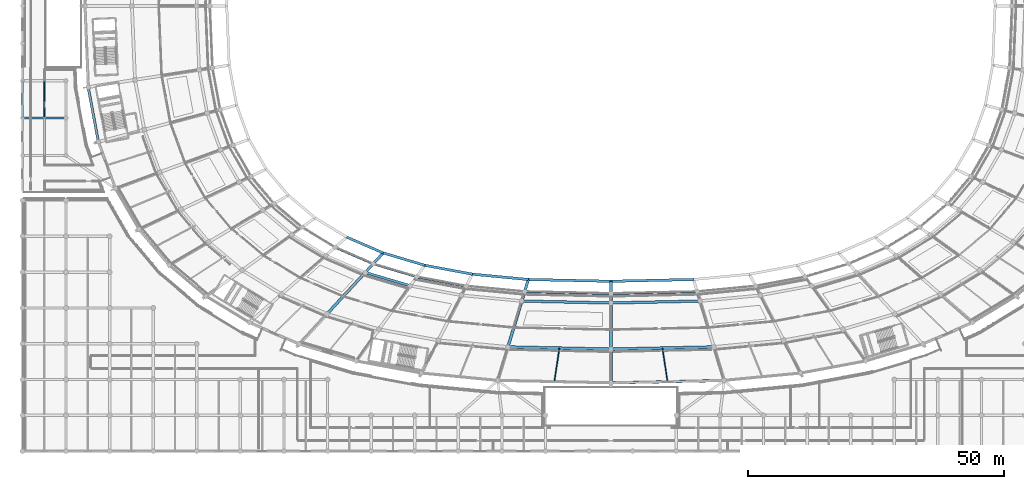
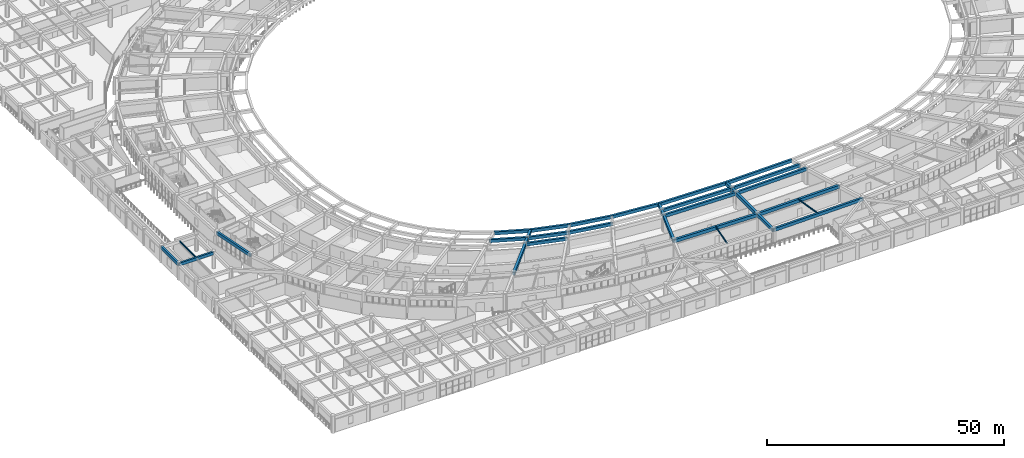
# One storey, part 24 of 145: 27 beams.
"""IFC4 building model written with IfcOpenShell, lengths in metres."""

from ifc_helpers import new_model, si_unit, direction, frame, origin, origin_2d, place, context, subcontext, project, spatial, rectangle, i_section, extrude, material, material_profile, profile_set, type_object, element, save


model = new_model("IFC4")

# Units and contexts
model_context = context("Model", 3, precision=1e-05, world=origin(), true_north=direction((0.0, 1.0)))
body_context = subcontext(model_context, "Body", "Model", "MODEL_VIEW")
ifc_project = project(units=[si_unit("LENGTHUNIT", "METRE"), si_unit("AREAUNIT", "SQUARE_METRE"), si_unit("VOLUMEUNIT", "CUBIC_METRE"), si_unit("PLANEANGLEUNIT", "RADIAN"), si_unit("MASSUNIT", "GRAM", prefix="KILO")], contexts=[model_context])

# Site, building, storey
site_placement = place(None, origin())
site = spatial("IfcSite", under=ifc_project, at=site_placement, CompositionType="ELEMENT")
building_placement = place(site_placement, origin())
building = spatial("IfcBuilding", under=site, at=building_placement, Name="Mphavela Belvedere Stadium", CompositionType="ELEMENT")
storey_placement = place(building_placement, frame((0.0, 0.0, 10.199951171875)))
storey = spatial("IfcBuildingStorey", under=building, at=storey_placement, Name="L02", CompositionType="ELEMENT", Elevation=10.199951171875)

# Beams
ifc_material_1 = material(Name="Steel S355", Category="steel")
ifc_material_profile_1 = material_profile(ifc_material_1, i_section(OverallWidth=0.169921875, OverallDepth=0.360107421875, WebThickness=0.008056640625, FlangeThickness=0.0126953125, at=origin_2d()), Name="IPE 360")
ifc_profile_set_1 = profile_set([ifc_material_profile_1], Name="Steel S355")
beam_type_1 = type_object("IfcBeamType", Name="BM-JOIST-IPE360", PredefinedType="JOIST", material=ifc_profile_set_1)
beam_1_placement = place(storey_placement, frame((125.06640625, 20.1494140625, 4.070068359375), z_axis=(0.14889470473, -0.988853056274, 0.0), x_axis=(0.988853056274, 0.14889470473, 0.0)))
element("IfcBeam", 1, at=beam_1_placement, inside=storey, type_object=beam_type_1, Name="Concourse floor joist L02-37", PredefinedType="JOIST", context=body_context, shape_type="SweptSolid", body=[
    extrude(i_section(OverallWidth=0.169921875, OverallDepth=0.360107421875, WebThickness=0.008056640625, FlangeThickness=0.0126953125, at=origin_2d()), origin(), (0.0, 0.0, 1.0), 6.655517578125),
])
beam_2_placement = place(storey_placement, frame((4.25, 65.324951171875, 4.06005859375), z_axis=(0.0, 1.0, 0.0), x_axis=(-1.0, 0.0, 0.0)))
element("IfcBeam", 2, at=beam_2_placement, inside=storey, type_object=beam_type_1, Name="West Planted Eaves Peristyle Colonnade secondary joist L02 1-3", PredefinedType="JOIST", context=body_context, shape_type="SweptSolid", body=[
    extrude(i_section(OverallWidth=0.169921875, OverallDepth=0.360107421875, WebThickness=0.008056640625, FlangeThickness=0.0126953125, at=origin_2d()), origin(), (0.0, 0.0, 1.0), 6.85009765625),
])
ifc_material_2 = material(Name="Steel S355", Category="steel")
ifc_material_profile_2 = material_profile(ifc_material_2, i_section(OverallWidth=0.179931640625, OverallDepth=0.39990234375, WebThickness=0.008544921875, FlangeThickness=0.013427734375, at=origin_2d()), Name="IPE 400")
ifc_profile_set_2 = profile_set([ifc_material_profile_2], Name="Steel S355")
beam_type_2 = type_object("IfcBeamType", Name="BM-JOIST-IPE400", PredefinedType="JOIST", material=ifc_profile_set_2)
beam_3_placement = place(storey_placement, frame((104.93359375, 20.1494140625, 4.050048828125), z_axis=(-0.14889470473, -0.988853056274, 0.0), x_axis=(0.988853056274, -0.14889470473, 0.0)))
element("IfcBeam", 3, at=beam_3_placement, inside=storey, type_object=beam_type_2, Name="Concourse floor joist L02-36", PredefinedType="JOIST", context=body_context, shape_type="SweptSolid", body=[
    extrude(i_section(OverallWidth=0.179931640625, OverallDepth=0.39990234375, WebThickness=0.008544921875, FlangeThickness=0.013427734375, at=origin_2d()), origin(), (0.0, 0.0, 1.0), 6.655517578125),
])
ifc_material_3 = material(Name="Concrete C40/50", Category="concrete")
ifc_material_profile_3 = material_profile(ifc_material_3, rectangle(XDim=0.449951171875, YDim=0.75, at=origin_2d()), Name="RC 450x750")
ifc_profile_set_3 = profile_set([ifc_material_profile_3], Name="Concrete C40/50")
beam_type_3 = type_object("IfcBeamType", Name="BM-RC450x750", PredefinedType="BEAM", material=ifc_profile_set_3)
beam_4_placement = place(storey_placement, frame((0.0, 65.10009765625, 3.864990234375), z_axis=(1.0, 0.0, 0.0), x_axis=(0.0, 1.0, 0.0)))
element("IfcBeam", 4, at=beam_4_placement, inside=storey, type_object=beam_type_3, Name="West Planted Eaves Peristyle Colonnade entablature beam X L02 1-3", PredefinedType="BEAM", context=body_context, shape_type="SweptSolid", body=[
    extrude(rectangle(XDim=0.449951171875, YDim=0.75, at=origin_2d()), origin(), (0.0, 0.0, 1.0), 8.5),
])
beam_5_placement = place(storey_placement, frame((0.0, 65.10009765625, 3.864990234375), z_axis=(0.0, 1.0, 0.0), x_axis=(-1.0, 0.0, 0.0)))
element("IfcBeam", 5, at=beam_5_placement, inside=storey, type_object=beam_type_3, Name="West Planted Eaves Peristyle Colonnade entablature beam Y L02 1-3", PredefinedType="BEAM", context=body_context, shape_type="SweptSolid", body=[
    extrude(rectangle(XDim=0.449951171875, YDim=0.75, at=origin_2d()), origin(), (0.0, 0.0, 1.0), 7.2998046875),
])
ifc_material_4 = material(Name="Concrete C40/50", Category="concrete")
ifc_material_profile_4 = material_profile(ifc_material_4, rectangle(XDim=0.5, YDim=0.800048828125, at=origin_2d()), Name="RC 500x800")
ifc_profile_set_4 = profile_set([ifc_material_profile_4], Name="Concrete C40/50")
beam_type_4 = type_object("IfcBeamType", Name="BM-RC500x800", PredefinedType="BEAM", material=ifc_profile_set_4)
beam_6_placement = place(storey_placement, frame((61.11083984375, 39.845703125, 3.85009765625), z_axis=(0.917503251148, -0.397728279273, 0.0), x_axis=(0.397728279273, 0.917503251148, 0.0)))
element("IfcBeam", 6, at=beam_6_placement, inside=storey, type_object=beam_type_4, Name="Circumferential girder L02 R1-32", PredefinedType="BEAM", context=body_context, shape_type="SweptSolid", body=[
    extrude(rectangle(XDim=0.5, YDim=0.800048828125, at=origin_2d()), origin(), (0.0, 0.0, 1.0), 8.107666015625),
])
beam_7_placement = place(storey_placement, frame((68.549560546875, 36.62109375, 3.85009765625), z_axis=(0.958656973737, -0.284564240033, 0.0), x_axis=(0.284564240033, 0.958656973737, 0.0)))
element("IfcBeam", 7, at=beam_7_placement, inside=storey, type_object=beam_type_4, Name="Circumferential girder L02 R1-33", PredefinedType="BEAM", context=body_context, shape_type="SweptSolid", body=[
    extrude(rectangle(XDim=0.5, YDim=0.800048828125, at=origin_2d()), origin(), (0.0, 0.0, 1.0), 8.854736328125),
])
beam_8_placement = place(storey_placement, frame((66.997314453125, 34.9375, 3.85009765625), z_axis=(0.958656419443, -0.284566107363, 0.0), x_axis=(0.284566107363, 0.958656419443, 0.0)))
element("IfcBeam", 8, at=beam_8_placement, inside=storey, type_object=beam_type_4, Name="Circumferential girder L02 R2-33", PredefinedType="BEAM", context=body_context, shape_type="SweptSolid", body=[
    extrude(rectangle(XDim=0.5, YDim=0.800048828125, at=origin_2d()), origin(), (0.0, 0.0, 1.0), 9.15087890625),
])
beam_9_placement = place(storey_placement, frame((77.038330078125, 34.101318359375, 3.85009765625), z_axis=(0.983092994202, -0.183106976248, 0.0), x_axis=(0.183106976248, 0.983092994202, 0.0)))
element("IfcBeam", 9, at=beam_9_placement, inside=storey, type_object=beam_type_4, Name="Circumferential girder L02 R1-34", PredefinedType="BEAM", context=body_context, shape_type="SweptSolid", body=[
    extrude(rectangle(XDim=0.5, YDim=0.800048828125, at=origin_2d()), origin(), (0.0, 0.0, 1.0), 9.869140625),
])
beam_10_placement = place(storey_placement, frame((98.142822265625, 31.20703125, 3.85009765625), z_axis=(0.9997681798, -0.021531062658, 0.0), x_axis=(0.021531062658, 0.9997681798, 0.0)))
element("IfcBeam", 10, at=beam_10_placement, inside=storey, type_object=beam_type_4, Name="Circumferential girder L02 R1-36", PredefinedType="BEAM", context=body_context, shape_type="SweptSolid", body=[
    extrude(rectangle(XDim=0.5, YDim=0.800048828125, at=origin_2d()), origin(), (0.0, 0.0, 1.0), 16.861083984375),
])
beam_11_placement = place(storey_placement, frame((97.57958984375, 29.342529296875, 3.85009765625), z_axis=(0.999768385959, -0.021521487805, 0.0), x_axis=(0.021521487805, 0.999768385959, 0.0)))
element("IfcBeam", 11, at=beam_11_placement, inside=storey, type_object=beam_type_4, Name="Circumferential girder L02 R2-36", PredefinedType="BEAM", context=body_context, shape_type="SweptSolid", body=[
    extrude(rectangle(XDim=0.5, YDim=0.800048828125, at=origin_2d()), origin(), (0.0, 0.0, 1.0), 17.424560546875),
])
beam_12_placement = place(storey_placement, frame((115.0, 30.843994140625, 3.85009765625), z_axis=(0.9997681798, 0.021531062658, 0.0), x_axis=(-0.021531062658, 0.9997681798, 0.0)))
element("IfcBeam", 12, at=beam_12_placement, inside=storey, type_object=beam_type_4, Name="Circumferential girder L02 R1-37", PredefinedType="BEAM", context=body_context, shape_type="SweptSolid", body=[
    extrude(rectangle(XDim=0.5, YDim=0.800048828125, at=origin_2d()), origin(), (0.0, 0.0, 1.0), 16.861083984375),
])
beam_13_placement = place(storey_placement, frame((115.0, 28.967529296875, 3.85009765625), z_axis=(0.999768385959, 0.021521487805, 0.0), x_axis=(-0.021521487805, 0.999768385959, 0.0)))
element("IfcBeam", 13, at=beam_13_placement, inside=storey, type_object=beam_type_4, Name="Circumferential girder L02 R2-37", PredefinedType="BEAM", context=body_context, shape_type="SweptSolid", body=[
    extrude(rectangle(XDim=0.5, YDim=0.800048828125, at=origin_2d()), origin(), (0.0, 0.0, 1.0), 17.424560546875),
])
beam_14_placement = place(storey_placement, frame((63.37841796875, 41.829833984375, 3.85009765625), z_axis=(0.917506303716, -0.397721237353, 0.0), x_axis=(0.397721237353, 0.917506303716, 0.0)))
element("IfcBeam", 14, at=beam_14_placement, inside=storey, type_object=beam_type_4, Name="Upper tier front sightline ring beam 32", PredefinedType="BEAM", context=body_context, shape_type="SweptSolid", body=[
    extrude(rectangle(XDim=0.5, YDim=0.800048828125, at=origin_2d()), origin(), (0.0, 0.0, 1.0), 7.766357421875),
])
beam_15_placement = place(storey_placement, frame((70.504150390625, 38.740966796875, 3.85009765625), z_axis=(0.958654841276, -0.284571423896, 0.0), x_axis=(0.284571423896, 0.958654841276, 0.0)))
element("IfcBeam", 15, at=beam_15_placement, inside=storey, type_object=beam_type_4, Name="Upper tier front sightline ring beam 33", PredefinedType="BEAM", context=body_context, shape_type="SweptSolid", body=[
    extrude(rectangle(XDim=0.5, YDim=0.800048828125, at=origin_2d()), origin(), (0.0, 0.0, 1.0), 8.482177734375),
])
beam_16_placement = place(storey_placement, frame((78.6357421875, 36.3271484375, 3.85009765625), z_axis=(0.983094824356, -0.18309714996, 0.0), x_axis=(0.18309714996, 0.983094824356, 0.0)))
element("IfcBeam", 16, at=beam_16_placement, inside=storey, type_object=beam_type_4, Name="Upper tier front sightline ring beam 34", PredefinedType="BEAM", context=body_context, shape_type="SweptSolid", body=[
    extrude(rectangle(XDim=0.5, YDim=0.800048828125, at=origin_2d()), origin(), (0.0, 0.0, 1.0), 9.453857421875),
])
beam_17_placement = place(storey_placement, frame((87.9296875, 34.59619140625, 3.85009765625), z_axis=(0.995484465186, -0.094924599412, 0.0), x_axis=(0.094924599412, 0.995484465186, 0.0)))
element("IfcBeam", 17, at=beam_17_placement, inside=storey, type_object=beam_type_4, Name="Upper tier front sightline ring beam 35", PredefinedType="BEAM", context=body_context, shape_type="SweptSolid", body=[
    extrude(rectangle(XDim=0.5, YDim=0.800048828125, at=origin_2d()), origin(), (0.0, 0.0, 1.0), 10.971923828125),
])
for number, where, z_axis, x_axis, name in (
    (18, (98.85205078125, 33.5546875, 3.85009765625), (0.999768322215, -0.021524448774, 0.0), (0.021524448774, 0.999768322215, 0.0), "Upper tier front sightline ring beam 36"),
    (19, (115.0, 33.20703125, 3.85009765625), (0.999768322215, 0.021524448774, 0.0), (-0.021524448774, 0.999768322215, 0.0), "Upper tier front sightline ring beam 37"),
):
    element("IfcBeam", number, at=place(storey_placement, frame(where, z_axis=z_axis, x_axis=x_axis)), inside=storey, type_object=beam_type_4, Name=name, PredefinedType="BEAM", context=body_context, shape_type="SweptSolid", body=[
        extrude(rectangle(XDim=0.5, YDim=0.800048828125, at=origin_2d()), origin(), (0.0, 0.0, 1.0), 16.151611328125),
    ])
ifc_material_5 = material(Name="Concrete C40/50", Category="concrete")
ifc_material_profile_5 = material_profile(ifc_material_5, rectangle(XDim=0.550048828125, YDim=0.85009765625, at=origin_2d()), Name="RC 550x850")
ifc_profile_set_5 = profile_set([ifc_material_profile_5], Name="Concrete C40/50")
beam_type_5 = type_object("IfcBeamType", Name="BM-RC550x850", PredefinedType="BEAM", material=ifc_profile_set_5)
for number, where, z_axis, x_axis, name in (
    (20, (94.8671875, 20.365966796875, 3.824951171875), (0.999768427465, -0.02151955955, 0.0), (0.02151955955, 0.999768427465, 0.0), "Circumferential girder L02 R3-36"),
    (21, (115.0, 19.9326171875, 3.824951171875), (0.999768427465, 0.02151955955, 0.0), (-0.02151955955, 0.999768427465, 0.0), "Circumferential girder L02 R3-37"),
):
    element("IfcBeam", number, at=place(storey_placement, frame(where, z_axis=z_axis, x_axis=x_axis)), inside=storey, type_object=beam_type_5, Name=name, PredefinedType="BEAM", context=body_context, shape_type="SweptSolid", body=[
        extrude(rectangle(XDim=0.550048828125, YDim=0.85009765625, at=origin_2d()), origin(), (0.0, 0.0, 1.0), 20.137451171875),
    ])
beam_18_placement = place(storey_placement, frame((115.0, 19.9326171875, 3.824951171875), z_axis=(0.0, -1.0, 0.0), x_axis=(1.0, 0.0, 0.0)))
element("IfcBeam", 22, at=beam_18_placement, inside=storey, type_object=beam_type_5, Name="Radial concourse girder L02 R3R4-37", PredefinedType="BEAM", context=body_context, shape_type="SweptSolid", body=[
    extrude(rectangle(XDim=0.550048828125, YDim=0.85009765625, at=origin_2d()), origin(), (0.0, 0.0, 1.0), 6.6025390625),
])
beam_19_placement = place(storey_placement, frame((70.504150390625, 38.740966796875, 3.824951171875), z_axis=(-0.6778668467, -0.73518469662, 0.0), x_axis=(0.73518469662, -0.6778668467, 0.0)))
element("IfcBeam", 23, at=beam_19_placement, inside=storey, type_object=beam_type_5, Name="Upper tier box-front outrigger girder 33", PredefinedType="BEAM", context=body_context, shape_type="SweptSolid", body=[
    extrude(rectangle(XDim=0.550048828125, YDim=0.85009765625, at=origin_2d()), origin(), (0.0, 0.0, 1.0), 16.198486328125),
])
beam_20_placement = place(storey_placement, frame((98.85205078125, 33.5546875, 3.824951171875), z_axis=(-0.289228268404, -0.957260157301, 0.0), x_axis=(0.957260157301, -0.289228268404, 0.0)))
element("IfcBeam", 24, at=beam_20_placement, inside=storey, type_object=beam_type_5, Name="Upper tier box-front outrigger girder 36", PredefinedType="BEAM", context=body_context, shape_type="SweptSolid", body=[
    extrude(rectangle(XDim=0.550048828125, YDim=0.85009765625, at=origin_2d()), origin(), (0.0, 0.0, 1.0), 13.777587890625),
])
beam_21_placement = place(storey_placement, frame((115.0, 33.20703125, 3.824951171875), z_axis=(0.0, -1.0, 0.0), x_axis=(1.0, 0.0, 0.0)))
element("IfcBeam", 25, at=beam_21_placement, inside=storey, type_object=beam_type_5, Name="Upper tier box-front outrigger girder 37", PredefinedType="BEAM", context=body_context, shape_type="SweptSolid", body=[
    extrude(rectangle(XDim=0.550048828125, YDim=0.85009765625, at=origin_2d()), origin(), (0.0, 0.0, 1.0), 13.2744140625),
])
ifc_material_6 = material(Name="Concrete C40/50", Category="concrete")
ifc_material_profile_6 = material_profile(ifc_material_6, rectangle(XDim=0.5, YDim=0.800048828125, at=origin_2d()), Name="RC 500x800")
ifc_profile_set_6 = profile_set([ifc_material_profile_6], Name="Concrete C40/50")
beam_type_6 = type_object("IfcBeamType", Name="BM-SPANDREL-800", PredefinedType="SPANDREL", material=ifc_profile_set_6)
beam_22_placement = place(storey_placement, frame((12.844482421875, 71.155029296875, 3.85009765625), z_axis=(0.18264260648, -0.983179372393, 0.0), x_axis=(0.983179372393, 0.18264260648, 0.0)))
element("IfcBeam", 26, at=beam_22_placement, inside=storey, type_object=beam_type_6, Name="Circumferential girder L02 R4-26", PredefinedType="SPANDREL", context=body_context, shape_type="SweptSolid", body=[
    extrude(rectangle(XDim=0.5, YDim=0.800048828125, at=origin_2d()), origin(), (0.0, 0.0, 1.0), 10.90087890625),
])
beam_23_placement = place(storey_placement, frame((115.0, 13.330078125, 3.85009765625), z_axis=(0.999768359718, 0.021522706765, 0.0), x_axis=(-0.021522706765, 0.999768359718, 0.0)))
element("IfcBeam", 27, at=beam_23_placement, inside=storey, type_object=beam_type_6, Name="Circumferential girder L02 R4-37", PredefinedType="SPANDREL", context=body_context, shape_type="SweptSolid", body=[
    extrude(rectangle(XDim=0.5, YDim=0.800048828125, at=origin_2d()), origin(), (0.0, 0.0, 1.0), 22.11962890625),
])

save(model, "model.ifc")
